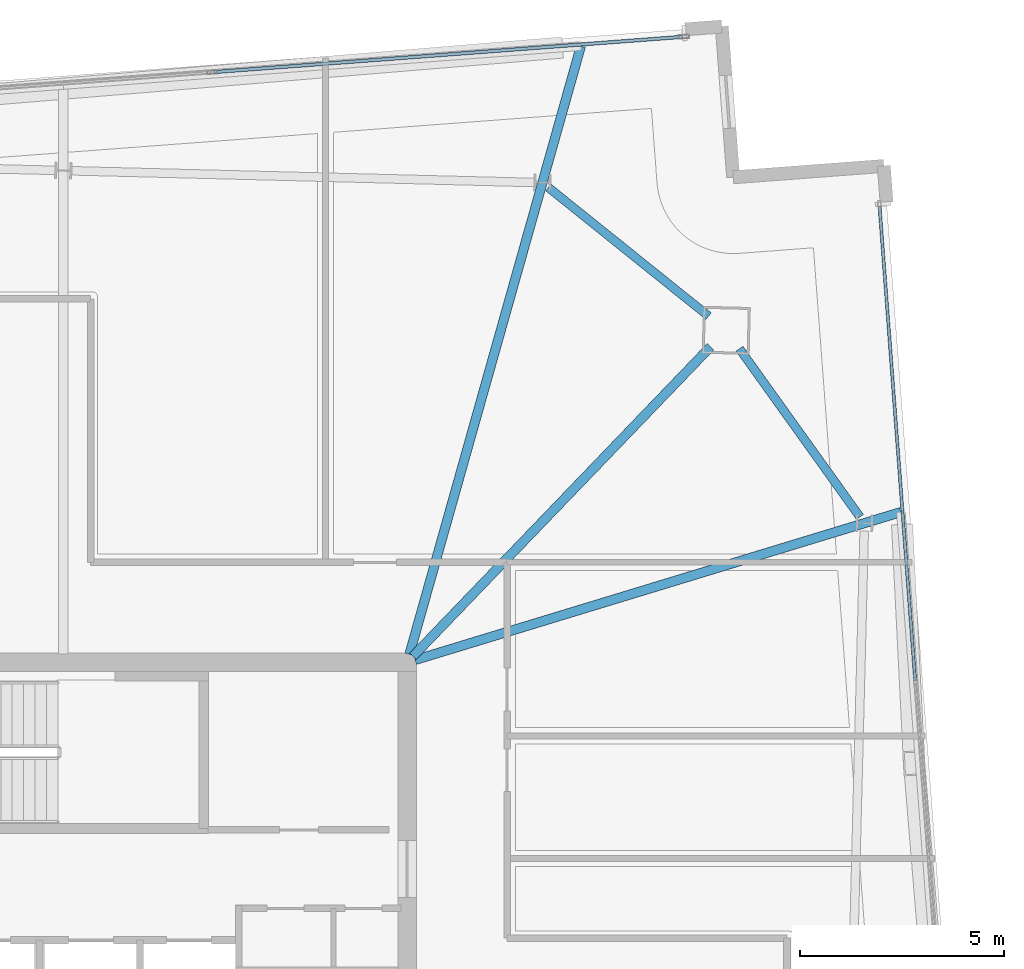
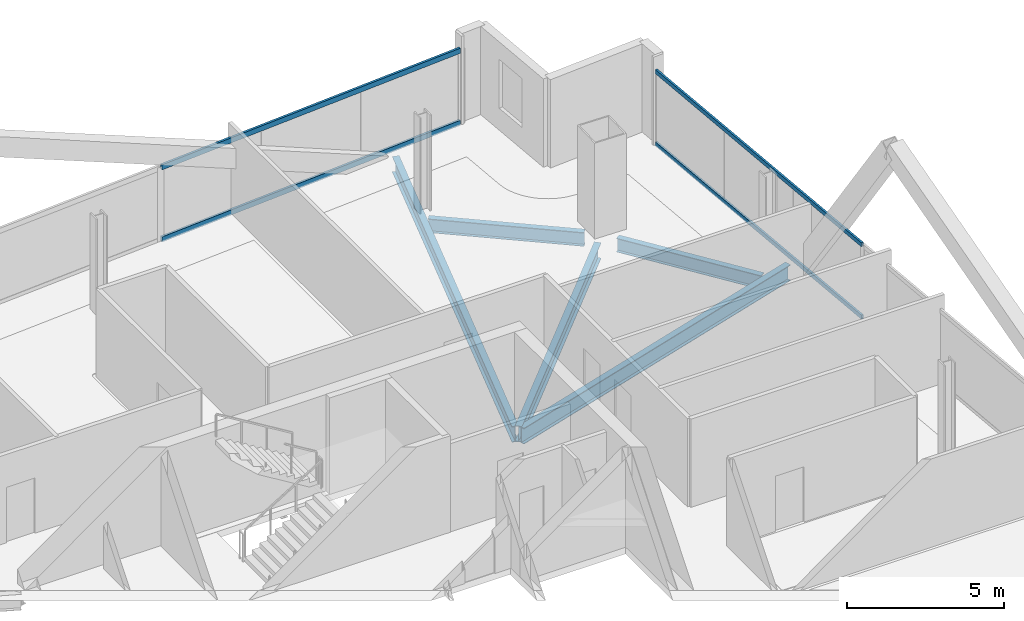
# One storey, part 14 of 23: 5 beams, 4 members, 2 elements without a shape of their own.
"""IFC4 building model written with IfcOpenShell, lengths in metres."""

from ifc_helpers import new_model, si_unit, direction, frame, origin, origin_2d, place, context, subcontext, project, spatial, hollow_rectangle, i_section, extrude, material, material_profile, profile_set, type_object, element, aggregate, save


model = new_model("IFC4")

# Units and contexts
model_context = context("Model", 3, precision=1e-05, world=origin(), true_north=direction((0.0, 1.0)))
body_context = subcontext(model_context, "Body", "Model", "MODEL_VIEW")
ifc_project = project(units=[si_unit("LENGTHUNIT", "METRE"), si_unit("AREAUNIT", "SQUARE_METRE"), si_unit("VOLUMEUNIT", "CUBIC_METRE"), si_unit("PLANEANGLEUNIT", "RADIAN"), si_unit("MASSUNIT", "GRAM", prefix="KILO")], contexts=[model_context])

# Site, building, storey
site_placement = place(None, origin())
site = spatial("IfcSite", under=ifc_project, at=site_placement, CompositionType="ELEMENT")
building_placement = place(site_placement, origin())
building = spatial("IfcBuilding", under=site, at=building_placement, Name="Haldenkirk Collegiate Tower", CompositionType="ELEMENT")
storey_placement = place(building_placement, frame((0.0, 0.0, 343.949951171875)))
storey = spatial("IfcBuildingStorey", under=building, at=storey_placement, Name="L87", CompositionType="ELEMENT", Elevation=343.949951171875)

# Beams
ifc_material_1 = material(Name="Steel ASTM A992 Grade 50", Category="steel")
ifc_material_profile_1 = material_profile(ifc_material_1, i_section(OverallWidth=0.22998046875, OverallDepth=0.616943359375, WebThickness=0.01318359375, FlangeThickness=0.022216796875, at=origin_2d()), Name="W24X94")
ifc_profile_set_1 = profile_set([ifc_material_profile_1], Name="Steel ASTM A992 Grade 50")
beam_type_1 = type_object("IfcBeamType", Name="BM-GIRDER-W24X94", PredefinedType="BEAM", material=ifc_profile_set_1)
beam_1_placement = place(storey_placement, frame((52.428955078125, 41.7294921875, -0.568359375), z_axis=(-0.692944915375, -0.720990529935, 0.0), x_axis=(0.720990529935, -0.692944915375, 0.0)))
element("IfcBeam", 1, at=beam_1_placement, inside=storey, type_object=beam_type_1, Name="L87 primary floor girder 02", PredefinedType="BEAM", context=body_context, shape_type="SweptSolid", body=[
    extrude(i_section(OverallWidth=0.22998046875, OverallDepth=0.616943359375, WebThickness=0.01318359375, FlangeThickness=0.022216796875, at=origin_2d()), origin(), (0.0, 0.0, 1.0), 10.515869140625),
])
beam_2_placement = place(storey_placement, frame((57.088623046875, 37.6806640625, -0.568359375), z_axis=(-0.956643193805, -0.291262424194, 0.0), x_axis=(0.291262424194, -0.956643193805, 0.0)))
element("IfcBeam", 2, at=beam_2_placement, inside=storey, type_object=beam_type_1, Name="L87 primary floor girder 07", PredefinedType="BEAM", context=body_context, shape_type="SweptSolid", body=[
    extrude(i_section(OverallWidth=0.22998046875, OverallDepth=0.616943359375, WebThickness=0.01318359375, FlangeThickness=0.022216796875, at=origin_2d()), origin(), (0.0, 0.0, 1.0), 12.431640625),
])
beam_3_placement = place(storey_placement, frame((49.25439453125, 49.0888671875, -0.568359375), z_axis=(-0.271372464793, -0.962474407635, 0.0), x_axis=(0.962474407635, -0.271372464793, 0.0)))
element("IfcBeam", 3, at=beam_3_placement, inside=storey, type_object=beam_type_1, Name="L87 primary floor girder 08", PredefinedType="BEAM", context=body_context, shape_type="SweptSolid", body=[
    extrude(i_section(OverallWidth=0.22998046875, OverallDepth=0.616943359375, WebThickness=0.01318359375, FlangeThickness=0.022216796875, at=origin_2d()), origin(), (0.0, 0.0, 1.0), 15.47216796875),
])
ifc_material_profile_2 = material_profile(ifc_material_1, i_section(OverallWidth=0.2099609375, OverallDepth=0.537109375, WebThickness=0.010986328125, FlangeThickness=0.017333984375, at=origin_2d()), Name="W21X68")
ifc_profile_set_2 = profile_set([ifc_material_profile_2], Name="Steel ASTM A992 Grade 50")
beam_type_2 = type_object("IfcBeamType", Name="BM-SPANDREL-W21X68", PredefinedType="SPANDREL", material=ifc_profile_set_2)
beam_4_placement = place(storey_placement, frame((56.085693359375, 37.561279296875, -0.528564453125), z_axis=(-0.582300220922, 0.812973832737, 0.0), x_axis=(-0.812973832737, -0.582300220922, 0.0)))
element("IfcBeam", 4, at=beam_4_placement, inside=storey, type_object=beam_type_2, Name="L87 perimeter spandrel beam 04", PredefinedType="SPANDREL", context=body_context, shape_type="SweptSolid", body=[
    extrude(i_section(OverallWidth=0.2099609375, OverallDepth=0.537109375, WebThickness=0.010986328125, FlangeThickness=0.017333984375, at=origin_2d()), origin(), (0.0, 0.0, 1.0), 5.064453125),
])
beam_5_placement = place(storey_placement, frame((52.380859375, 42.477294921875, -0.528564453125), z_axis=(-0.779721728928, 0.626126205678, 0.0), x_axis=(-0.626126205678, -0.779721728928, 0.0)))
element("IfcBeam", 5, at=beam_5_placement, inside=storey, type_object=beam_type_2, Name="L87 perimeter spandrel beam 05", PredefinedType="SPANDREL", context=body_context, shape_type="SweptSolid", body=[
    extrude(i_section(OverallWidth=0.2099609375, OverallDepth=0.537109375, WebThickness=0.010986328125, FlangeThickness=0.017333984375, at=origin_2d()), origin(), (0.0, 0.0, 1.0), 5.03076171875),
])

# Curtain wall, members
ifc_material_2 = material(Name="Anodised architectural bronze aluminium", Category="aluminium")
curtain_wall_type_1 = type_object("IfcCurtainWallType", Name="CW-SYS2-CONCAVE", PredefinedType="USERDEFINED", material=ifc_material_2)
curtain_wall_1_placement = place(storey_placement, origin())
curtain_wall_1 = element("IfcCurtainWall", 6, at=curtain_wall_1_placement, inside=storey, type_object=curtain_wall_type_1, Name="L87 South concave recessed bronze-anodised curtain wall", ObjectType="UNITISED CURTAIN WALL", PredefinedType="USERDEFINED")
ifc_material_profile_3 = material_profile(ifc_material_2, hollow_rectangle(XDim=0.074951171875, YDim=0.159912109375, WallThickness=0.0048828125, at=origin_2d()), Name="CW-TRN-02")
ifc_profile_set_3 = profile_set([ifc_material_profile_3], Name="Anodised architectural bronze aluminium")
member_type_1 = type_object("IfcMemberType", Name="CW-TRN-02", PredefinedType="USERDEFINED", material=ifc_profile_set_3)
member_1_placement = place(storey_placement, frame((56.5654296875, 45.1708984375, 0.03759765625), z_axis=(0.074975869453, -0.997185348368, 0.0), x_axis=(0.997185348368, 0.074975869453, 0.0)))
member_1 = element("IfcMember", 7, at=member_1_placement, type_object=member_type_1, Name="CW-02 transom 1.1", ObjectType="TRANSOM", PredefinedType="USERDEFINED", context=body_context, shape_type="SweptSolid", body=[
    extrude(hollow_rectangle(XDim=0.074951171875, YDim=0.159912109375, WallThickness=0.0048828125, at=origin_2d()), origin(), (0.0, 0.0, 1.0), 11.654052734375),
])
member_2_placement = place(storey_placement, frame((56.5654296875, 45.1708984375, 2.8505859375), z_axis=(0.074975869453, -0.997185348368, 0.0), x_axis=(0.997185348368, 0.074975869453, 0.0)))
member_2 = element("IfcMember", 8, at=member_2_placement, type_object=member_type_1, Name="CW-02 transom 1.2", ObjectType="TRANSOM", PredefinedType="USERDEFINED", context=body_context, shape_type="SweptSolid", body=[
    extrude(hollow_rectangle(XDim=0.074951171875, YDim=0.159912109375, WallThickness=0.0048828125, at=origin_2d()), origin(), (0.0, 0.0, 1.0), 11.654052734375),
])
aggregate(curtain_wall_1, [member_1, member_2])

curtain_wall_type_2 = type_object("IfcCurtainWallType", Name="CW-SYS1B-CONVEX-HI", PredefinedType="USERDEFINED", material=ifc_material_2)
curtain_wall_2_placement = place(storey_placement, origin())
curtain_wall_2 = element("IfcCurtainWall", 9, at=curtain_wall_2_placement, inside=storey, type_object=curtain_wall_type_2, Name="L87 Upper tower high-wind convex bronze unitised curtain wall", ObjectType="UNITISED CURTAIN WALL", PredefinedType="USERDEFINED")
ifc_material_profile_4 = material_profile(ifc_material_2, hollow_rectangle(XDim=0.0849609375, YDim=0.199951171875, WallThickness=0.0048828125, at=origin_2d()), Name="CW-TRN-1B")
ifc_profile_set_4 = profile_set([ifc_material_profile_4], Name="Anodised architectural bronze aluminium")
member_type_2 = type_object("IfcMemberType", Name="CW-TRN-1B", PredefinedType="USERDEFINED", material=ifc_profile_set_4)
member_3_placement = place(storey_placement, frame((40.27099609375, 48.453369140625, 0.04248046875), z_axis=(0.997185157859, 0.074978403194, 0.0), x_axis=(-0.074978403194, 0.997185157859, 0.0)))
member_3 = element("IfcMember", 10, at=member_3_placement, type_object=member_type_2, Name="CW-1B transom 3.1", ObjectType="TRANSOM", PredefinedType="USERDEFINED", context=body_context, shape_type="SweptSolid", body=[
    extrude(hollow_rectangle(XDim=0.0849609375, YDim=0.199951171875, WallThickness=0.0048828125, at=origin_2d()), origin(), (0.0, 0.0, 1.0), 11.49755859375),
])
member_4_placement = place(storey_placement, frame((40.27099609375, 48.453369140625, 2.845458984375), z_axis=(0.997185157859, 0.074978403194, 0.0), x_axis=(-0.074978403194, 0.997185157859, 0.0)))
member_4 = element("IfcMember", 11, at=member_4_placement, type_object=member_type_2, Name="CW-1B transom 3.2", ObjectType="TRANSOM", PredefinedType="USERDEFINED", context=body_context, shape_type="SweptSolid", body=[
    extrude(hollow_rectangle(XDim=0.0849609375, YDim=0.199951171875, WallThickness=0.0048828125, at=origin_2d()), origin(), (0.0, 0.0, 1.0), 11.49755859375),
])
aggregate(curtain_wall_2, [member_3, member_4])

save(model, "model.ifc")
